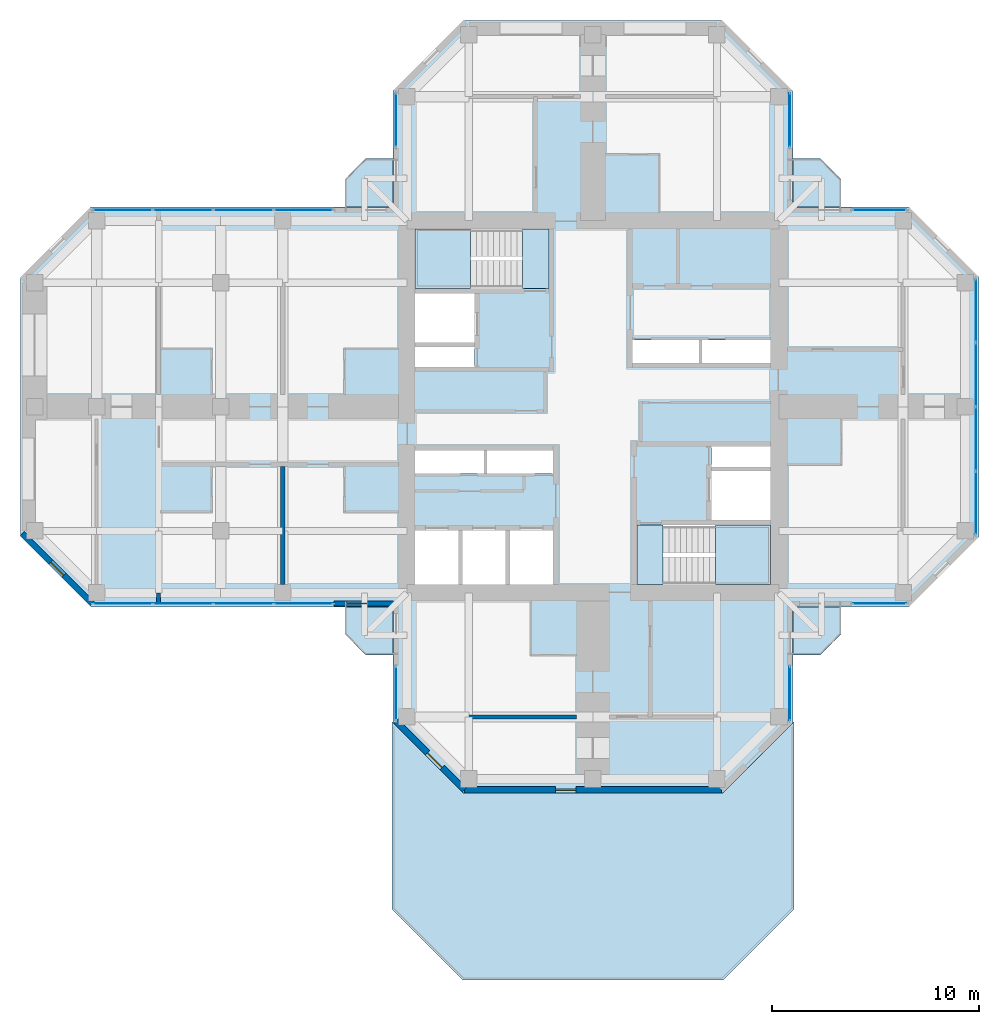
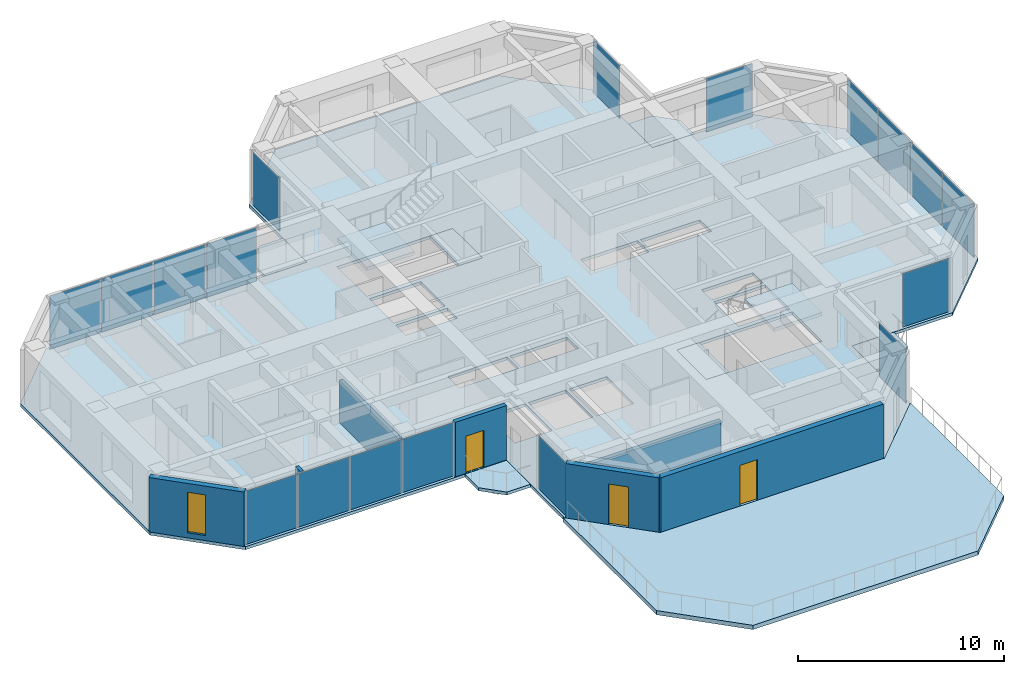
# One storey, part 7 of 14: 18 plates, 10 slabs, 7 walls, 3 doors, 1 window, 4 openings, 11 elements without a shape of their own.
"""IFC4 building model written with IfcOpenShell, lengths in metres."""

from ifc_helpers import new_model, si_unit, direction, frame, frame_2d, origin, origin_2d, place, context, subcontext, project, spatial, polyline, rectangle, hollow_rectangle, outline, extrude, material, layer, layer_set, constituent, constituent_set, type_object, element, fill, aggregate, save


model = new_model("IFC4")

# Units and contexts
model_context = context("Model", 3, precision=1e-05, world=origin(), true_north=direction((0.0, 1.0)))
body_context = subcontext(model_context, "Body", "Model", "MODEL_VIEW")
ifc_project = project(units=[si_unit("LENGTHUNIT", "METRE"), si_unit("AREAUNIT", "SQUARE_METRE"), si_unit("VOLUMEUNIT", "CUBIC_METRE"), si_unit("PLANEANGLEUNIT", "RADIAN"), si_unit("MASSUNIT", "GRAM", prefix="KILO")], contexts=[model_context])

# Site, building, storey
site_placement = place(None, origin())
site = spatial("IfcSite", under=ifc_project, at=site_placement, CompositionType="ELEMENT")
building_placement = place(site_placement, origin())
building = spatial("IfcBuilding", under=site, at=building_placement, Name="Torre Cruceta", CompositionType="ELEMENT")
storey_placement = place(building_placement, frame((0.0, 0.0, 222.10009765625)))
storey = spatial("IfcBuildingStorey", under=building, at=storey_placement, Name="L56", CompositionType="ELEMENT", Elevation=222.10009765625)

# Slabs
ifc_material_1 = material(Name="Concrete G35 (fck 35 MPa)", Category="concrete")
ifc_layer_1 = layer(ifc_material_1, 0.179931640625)
ifc_layer_set_1 = layer_set([ifc_layer_1], Name="Concrete G35 (fck 35 MPa)")
slab_type_1 = type_object("IfcSlabType", Name="BALCONY SLAB 180", PredefinedType="USERDEFINED", material=ifc_layer_set_1)
slab_1_placement = place(storey_placement, frame((0.0, 0.0, -0.18017578125)))
element("IfcSlab", 1, at=slab_1_placement, inside=storey, type_object=slab_type_1, Name="Balcony slab L56 N", ObjectType="BALCONY", PredefinedType="USERDEFINED", context=body_context, shape_type="SweptSolid", body=[
    extrude(outline(polyline([(-12.0, 11.0), (-11.0, 12.0), (-9.669921875, 12.0), (-9.669921875, 9.669921875), (-12.0, 9.669921875), (-12.0, 11.0)])), origin(), (0.0, 0.0, 1.0), 0.18017578125),
])
slab_2_placement = place(storey_placement, frame((0.0, 0.0, -0.18017578125)))
element("IfcSlab", 2, at=slab_2_placement, inside=storey, type_object=slab_type_1, Name="Balcony slab L56 E", ObjectType="BALCONY", PredefinedType="USERDEFINED", context=body_context, shape_type="SweptSolid", body=[
    extrude(outline(polyline([(11.0, 12.0), (12.0, 11.0), (12.0, 9.669921875), (9.669921875, 9.669921875), (9.669921875, 12.0), (11.0, 12.0)])), origin(), (0.0, 0.0, 1.0), 0.18017578125),
])
slab_3_placement = place(storey_placement, frame((0.0, 0.0, -0.18017578125)))
element("IfcSlab", 3, at=slab_3_placement, inside=storey, type_object=slab_type_1, Name="Balcony slab L56 S", ObjectType="BALCONY", PredefinedType="USERDEFINED", context=body_context, shape_type="SweptSolid", body=[
    extrude(outline(polyline([(12.0, -11.0), (11.0, -12.0), (9.669921875, -12.0), (9.669921875, -9.669921875), (12.0, -9.669921875), (12.0, -11.0)])), origin(), (0.0, 0.0, 1.0), 0.18017578125),
])
slab_4_placement = place(storey_placement, frame((0.0, 0.0, -0.18017578125)))
element("IfcSlab", 4, at=slab_4_placement, inside=storey, type_object=slab_type_1, Name="Balcony slab L56 W", ObjectType="BALCONY", PredefinedType="USERDEFINED", context=body_context, shape_type="SweptSolid", body=[
    extrude(outline(polyline([(-11.0, -12.0), (-12.0, -11.0), (-12.0, -9.669921875), (-9.669921875, -9.669921875), (-9.669921875, -12.0), (-11.0, -12.0)])), origin(), (0.0, 0.0, 1.0), 0.18017578125),
])

# Curtain wall, plate
ifc_material_2 = material(Name="Aluminium unitised curtain wall", Category="aluminium")
curtain_wall_type = type_object("IfcCurtainWallType", Name="CURTAIN WALL CW-D CO-LIVING UPPER", PredefinedType="USERDEFINED", material=ifc_material_2)
curtain_wall_1_placement = place(storey_placement, origin())
curtain_wall_1 = element("IfcCurtainWall", 5, at=curtain_wall_1_placement, inside=storey, type_object=curtain_wall_type, Name="CW-D L56 E tip 02", ObjectType="UNITISED", PredefinedType="USERDEFINED")
ifc_material_3 = material(Name="Laminated insulating glass unit, diagonal frit 50 %", Category="glass")
ifc_material_4 = material(Name="Laminated insulating glass unit, diagonal frit 50 %", Category="glass")
ifc_layer_2 = layer(ifc_material_4, 0.028076171875)
ifc_layer_set_2 = layer_set([ifc_layer_2], Name="Laminated insulating glass unit, diagonal frit 50 %")
plate_type_1 = type_object("IfcPlateType", Name="CW-D OPERABLE VENT PANEL 28", PredefinedType="CURTAIN_PANEL", material=ifc_layer_set_2)
plate_1_placement = place(storey_placement, frame((18.52001953125, -1.553955078125, 0.010009765625), z_axis=(0.0, 0.0, 1.0), x_axis=(0.0, 1.0, 0.0)))
plate_1 = element("IfcPlate", 6, at=plate_1_placement, type_object=plate_type_1, material=ifc_material_3, Name="CW-D vent 2", PredefinedType="CURTAIN_PANEL", context=body_context, shape_type="SweptSolid", body=[
    extrude(rectangle(XDim=3.047607421875, YDim=0.028076171875, at=origin_2d()), origin(), (0.0, 0.0, 1.0), 3.14990234375),
])

curtain_wall_2_placement = place(storey_placement, origin())
curtain_wall_2 = element("IfcCurtainWall", 7, at=curtain_wall_2_placement, inside=storey, type_object=curtain_wall_type, Name="CW-D L56 W side 10", ObjectType="UNITISED", PredefinedType="USERDEFINED")
plate_2_placement = place(storey_placement, frame((-16.90576171875, 9.52001953125, 0.010009765625), z_axis=(0.0, 0.0, 1.0), x_axis=(-1.0, 0.0, 0.0)))
plate_2 = element("IfcPlate", 8, at=plate_2_placement, type_object=plate_type_1, material=ifc_material_3, Name="CW-D vent 2", PredefinedType="CURTAIN_PANEL", context=body_context, shape_type="SweptSolid", body=[
    extrude(rectangle(XDim=2.86376953125, YDim=0.028076171875, at=origin_2d()), origin(), (0.0, 0.0, 1.0), 3.14990234375),
])

curtain_wall_3_placement = place(storey_placement, origin())
curtain_wall_3 = element("IfcCurtainWall", 9, at=curtain_wall_3_placement, inside=storey, type_object=curtain_wall_type, Name="CW-D L56 W side 14", ObjectType="UNITISED", PredefinedType="USERDEFINED")
plate_3_placement = place(storey_placement, frame((-19.82958984375, -9.52001953125, 0.010009765625), z_axis=(0.0, 0.0, 1.0), x_axis=(1.0, 0.0, 0.0)))
plate_3 = element("IfcPlate", 10, at=plate_3_placement, type_object=plate_type_1, material=ifc_material_3, Name="CW-D vent 2", PredefinedType="CURTAIN_PANEL", context=body_context, shape_type="SweptSolid", body=[
    extrude(rectangle(XDim=2.86376953125, YDim=0.028076171875, at=origin_2d()), origin(), (0.0, 0.0, 1.0), 3.14990234375),
])

curtain_wall_4_placement = place(storey_placement, origin())
curtain_wall_4 = element("IfcCurtainWall", 11, at=curtain_wall_4_placement, inside=storey, type_object=curtain_wall_type, Name="CW-D L56 E side 00", ObjectType="UNITISED", PredefinedType="USERDEFINED")
ifc_material_5 = material(Name="Laminated insulating glass unit, diagonal frit 50 %", Category="glass")
ifc_layer_3 = layer(ifc_material_5, 0.028076171875)
ifc_layer_set_3 = layer_set([ifc_layer_3], Name="Laminated insulating glass unit, diagonal frit 50 %")
plate_type_2 = type_object("IfcPlateType", Name="CW-D PANEL 28", PredefinedType="CURTAIN_PANEL", material=ifc_layer_set_3)
plate_4_placement = place(storey_placement, frame((13.86767578125, -9.52001953125, 0.010009765625), z_axis=(0.0, 0.0, 1.0), x_axis=(1.0, 0.0, 0.0)))
plate_4 = element("IfcPlate", 12, at=plate_4_placement, type_object=plate_type_2, material=ifc_material_3, Name="CW-D panel 1", PredefinedType="CURTAIN_PANEL", context=body_context, shape_type="SweptSolid", body=[
    extrude(rectangle(XDim=2.575439453125, YDim=0.028076171875, at=origin_2d()), origin(), (0.0, 0.0, 1.0), 3.14990234375),
])
aggregate(curtain_wall_4, [plate_4])

# Plate
plate_5_placement = place(storey_placement, frame((18.52001953125, -4.646484375, 0.010009765625), z_axis=(0.0, 0.0, 1.0), x_axis=(0.0, 1.0, 0.0)))
plate_5 = element("IfcPlate", 13, at=plate_5_placement, type_object=plate_type_2, material=ifc_material_3, Name="CW-D panel 1", PredefinedType="CURTAIN_PANEL", context=body_context, shape_type="SweptSolid", body=[
    extrude(rectangle(XDim=3.017578125, YDim=0.028076171875, at=origin_2d()), origin(), (0.0, 0.0, 1.0), 3.14990234375),
])

plate_6_placement = place(storey_placement, frame((18.52001953125, 1.553955078125, 0.010009765625), z_axis=(0.0, 0.0, 1.0), x_axis=(0.0, 1.0, 0.0)))
plate_6 = element("IfcPlate", 14, at=plate_6_placement, type_object=plate_type_2, material=ifc_material_3, Name="CW-D panel 3", PredefinedType="CURTAIN_PANEL", context=body_context, shape_type="SweptSolid", body=[
    extrude(rectangle(XDim=3.047607421875, YDim=0.028076171875, at=origin_2d()), origin(), (0.0, 0.0, 1.0), 3.14990234375),
])

plate_7_placement = place(storey_placement, frame((18.52001953125, 4.646484375, 0.010009765625), z_axis=(0.0, 0.0, 1.0), x_axis=(0.0, 1.0, 0.0)))
plate_7 = element("IfcPlate", 15, at=plate_7_placement, type_object=plate_type_2, material=ifc_material_3, Name="CW-D panel 4", PredefinedType="CURTAIN_PANEL", context=body_context, shape_type="SweptSolid", body=[
    extrude(rectangle(XDim=3.017578125, YDim=0.028076171875, at=origin_2d()), origin(), (0.0, 0.0, 1.0), 3.14990234375),
])

aggregate(curtain_wall_1, [plate_5, plate_1, plate_6, plate_7])

# Curtain wall, plate
curtain_wall_5_placement = place(storey_placement, origin())
curtain_wall_5 = element("IfcCurtainWall", 16, at=curtain_wall_5_placement, inside=storey, type_object=curtain_wall_type, Name="CW-D L56 E side 04", ObjectType="UNITISED", PredefinedType="USERDEFINED")
plate_8_placement = place(storey_placement, frame((13.86767578125, 9.52001953125, 0.010009765625), z_axis=(0.0, 0.0, 1.0), x_axis=(-1.0, 0.0, 0.0)))
plate_8 = element("IfcPlate", 17, at=plate_8_placement, type_object=plate_type_2, material=ifc_material_3, Name="CW-D panel 1", PredefinedType="CURTAIN_PANEL", context=body_context, shape_type="SweptSolid", body=[
    extrude(rectangle(XDim=2.575439453125, YDim=0.028076171875, at=origin_2d()), origin(), (0.0, 0.0, 1.0), 3.14990234375),
])
aggregate(curtain_wall_5, [plate_8])

curtain_wall_6_placement = place(storey_placement, origin())
curtain_wall_6 = element("IfcCurtainWall", 18, at=curtain_wall_6_placement, inside=storey, type_object=curtain_wall_type, Name="CW-D L56 N side 05", ObjectType="UNITISED", PredefinedType="USERDEFINED")
plate_9_placement = place(storey_placement, frame((9.52001953125, 13.86767578125, 0.010009765625), z_axis=(0.0, 0.0, 1.0), x_axis=(0.0, 1.0, 0.0)))
plate_9 = element("IfcPlate", 19, at=plate_9_placement, type_object=plate_type_2, material=ifc_material_3, Name="CW-D panel 1", PredefinedType="CURTAIN_PANEL", context=body_context, shape_type="SweptSolid", body=[
    extrude(rectangle(XDim=2.575439453125, YDim=0.028076171875, at=origin_2d()), origin(), (0.0, 0.0, 1.0), 3.14990234375),
])
aggregate(curtain_wall_6, [plate_9])

curtain_wall_7_placement = place(storey_placement, origin())
curtain_wall_7 = element("IfcCurtainWall", 20, at=curtain_wall_7_placement, inside=storey, type_object=curtain_wall_type, Name="CW-D L56 N side 09", ObjectType="UNITISED", PredefinedType="USERDEFINED")
plate_10_placement = place(storey_placement, frame((-9.52001953125, 13.86767578125, 0.010009765625), z_axis=(0.0, 0.0, 1.0), x_axis=(0.0, -1.0, 0.0)))
plate_10 = element("IfcPlate", 21, at=plate_10_placement, type_object=plate_type_2, material=ifc_material_3, Name="CW-D panel 1", PredefinedType="CURTAIN_PANEL", context=body_context, shape_type="SweptSolid", body=[
    extrude(rectangle(XDim=2.575439453125, YDim=0.028076171875, at=origin_2d()), origin(), (0.0, 0.0, 1.0), 3.14990234375),
])
aggregate(curtain_wall_7, [plate_10])

# Plate
plate_11_placement = place(storey_placement, frame((-13.996826171875, 9.52001953125, 0.010009765625), z_axis=(0.0, 0.0, 1.0), x_axis=(-1.0, 0.0, 0.0)))
plate_11 = element("IfcPlate", 22, at=plate_11_placement, type_object=plate_type_2, material=ifc_material_3, Name="CW-D panel 1", PredefinedType="CURTAIN_PANEL", context=body_context, shape_type="SweptSolid", body=[
    extrude(rectangle(XDim=2.833740234375, YDim=0.028076171875, at=origin_2d()), origin(), (0.0, 0.0, 1.0), 3.14990234375),
])

plate_12_placement = place(storey_placement, frame((-19.82958984375, 9.52001953125, 0.010009765625), z_axis=(0.0, 0.0, 1.0), x_axis=(-1.0, 0.0, 0.0)))
plate_12 = element("IfcPlate", 23, at=plate_12_placement, type_object=plate_type_2, material=ifc_material_3, Name="CW-D panel 3", PredefinedType="CURTAIN_PANEL", context=body_context, shape_type="SweptSolid", body=[
    extrude(rectangle(XDim=2.86376953125, YDim=0.028076171875, at=origin_2d()), origin(), (0.0, 0.0, 1.0), 3.14990234375),
])

plate_13_placement = place(storey_placement, frame((-22.738525390625, 9.52001953125, 0.010009765625), z_axis=(0.0, 0.0, 1.0), x_axis=(-1.0, 0.0, 0.0)))
plate_13 = element("IfcPlate", 24, at=plate_13_placement, type_object=plate_type_2, material=ifc_material_3, Name="CW-D panel 4", PredefinedType="CURTAIN_PANEL", context=body_context, shape_type="SweptSolid", body=[
    extrude(rectangle(XDim=2.833740234375, YDim=0.028076171875, at=origin_2d()), origin(), (0.0, 0.0, 1.0), 3.14990234375),
])

aggregate(curtain_wall_2, [plate_11, plate_2, plate_12, plate_13])

plate_14_placement = place(storey_placement, frame((-22.738525390625, -9.52001953125, 0.010009765625), z_axis=(0.0, 0.0, 1.0), x_axis=(1.0, 0.0, 0.0)))
plate_14 = element("IfcPlate", 25, at=plate_14_placement, type_object=plate_type_2, material=ifc_material_3, Name="CW-D panel 1", PredefinedType="CURTAIN_PANEL", context=body_context, shape_type="SweptSolid", body=[
    extrude(rectangle(XDim=2.833740234375, YDim=0.028076171875, at=origin_2d()), origin(), (0.0, 0.0, 1.0), 3.14990234375),
])

plate_15_placement = place(storey_placement, frame((-16.90576171875, -9.52001953125, 0.010009765625), z_axis=(0.0, 0.0, 1.0), x_axis=(1.0, 0.0, 0.0)))
plate_15 = element("IfcPlate", 26, at=plate_15_placement, type_object=plate_type_2, material=ifc_material_3, Name="CW-D panel 3", PredefinedType="CURTAIN_PANEL", context=body_context, shape_type="SweptSolid", body=[
    extrude(rectangle(XDim=2.86376953125, YDim=0.028076171875, at=origin_2d()), origin(), (0.0, 0.0, 1.0), 3.14990234375),
])

plate_16_placement = place(storey_placement, frame((-13.996826171875, -9.52001953125, 0.010009765625), z_axis=(0.0, 0.0, 1.0), x_axis=(1.0, 0.0, 0.0)))
plate_16 = element("IfcPlate", 27, at=plate_16_placement, type_object=plate_type_2, material=ifc_material_3, Name="CW-D panel 4", PredefinedType="CURTAIN_PANEL", context=body_context, shape_type="SweptSolid", body=[
    extrude(rectangle(XDim=2.833740234375, YDim=0.028076171875, at=origin_2d()), origin(), (0.0, 0.0, 1.0), 3.14990234375),
])

aggregate(curtain_wall_3, [plate_14, plate_3, plate_15, plate_16])

# Curtain wall, plate
curtain_wall_8_placement = place(storey_placement, origin())
curtain_wall_8 = element("IfcCurtainWall", 28, at=curtain_wall_8_placement, inside=storey, type_object=curtain_wall_type, Name="CW-D L56 S side 15", ObjectType="UNITISED", PredefinedType="USERDEFINED")
plate_17_placement = place(storey_placement, frame((-9.52001953125, -13.86767578125, 0.010009765625), z_axis=(0.0, 0.0, 1.0), x_axis=(0.0, -1.0, 0.0)))
plate_17 = element("IfcPlate", 29, at=plate_17_placement, type_object=plate_type_2, material=ifc_material_3, Name="CW-D panel 1", PredefinedType="CURTAIN_PANEL", context=body_context, shape_type="SweptSolid", body=[
    extrude(rectangle(XDim=2.575439453125, YDim=0.028076171875, at=origin_2d()), origin(), (0.0, 0.0, 1.0), 3.14990234375),
])
aggregate(curtain_wall_8, [plate_17])

curtain_wall_9_placement = place(storey_placement, origin())
curtain_wall_9 = element("IfcCurtainWall", 30, at=curtain_wall_9_placement, inside=storey, type_object=curtain_wall_type, Name="CW-D L56 S side 19", ObjectType="UNITISED", PredefinedType="USERDEFINED")
plate_18_placement = place(storey_placement, frame((9.52001953125, -13.86767578125, 0.010009765625), z_axis=(0.0, 0.0, 1.0), x_axis=(0.0, 1.0, 0.0)))
plate_18 = element("IfcPlate", 31, at=plate_18_placement, type_object=plate_type_2, material=ifc_material_3, Name="CW-D panel 1", PredefinedType="CURTAIN_PANEL", context=body_context, shape_type="SweptSolid", body=[
    extrude(rectangle(XDim=2.575439453125, YDim=0.028076171875, at=origin_2d()), origin(), (0.0, 0.0, 1.0), 3.14990234375),
])
aggregate(curtain_wall_9, [plate_18])

# Slab
ifc_material_6 = material(Name="Concrete G35 (fck 35 MPa)", Category="concrete")
ifc_layer_4 = layer(ifc_material_6, 0.179931640625)
ifc_layer_set_4 = layer_set([ifc_layer_4], Name="Concrete G35 (fck 35 MPa)")
slab_type_2 = type_object("IfcSlabType", Name="FLOOR SLAB 180", PredefinedType="FLOOR", material=ifc_layer_set_4)
slab_5_placement = place(storey_placement, frame((0.0, 0.0, -0.18017578125)))
element("IfcSlab", 32, at=slab_5_placement, inside=storey, type_object=slab_type_2, Name="Floor Slab L56", PredefinedType="FLOOR", context=body_context, shape_type="SweptSolid", body=[
    extrude(outline(polyline([(9.669921875, -9.669921875), (9.669921875, -15.277587890625), (6.277587890625, -18.669921875), (-6.277587890625, -18.669921875), (-9.669921875, -15.277587890625), (-9.669921875, -9.669921875), (-24.277587890625, -9.669921875), (-27.669921875, -6.277587890625), (-27.669921875, 6.277587890625), (-24.277587890625, 9.669921875), (-9.669921875, 9.669921875), (-9.669921875, 15.277587890625), (-6.277587890625, 18.669921875), (6.277587890625, 18.669921875), (9.669921875, 15.277587890625), (9.669921875, 9.669921875), (15.277587890625, 9.669921875), (18.669921875, 6.277587890625), (18.669921875, -6.277587890625), (15.277587890625, -9.669921875), (9.669921875, -9.669921875)]), holes=[polyline([(1.925048828125, 2.125), (5.125, 2.125), (5.125, 3.22509765625), (1.925048828125, 3.22509765625), (1.925048828125, 2.125)]), polyline([(5.27490234375, 2.125), (8.60009765625, 2.125), (8.60009765625, 3.22509765625), (5.27490234375, 3.22509765625), (5.27490234375, 2.125)]), polyline([(-8.60009765625, 3.10009765625), (-5.72509765625, 3.10009765625), (-5.72509765625, 5.47509765625), (-8.60009765625, 5.47509765625), (-8.60009765625, 3.10009765625)]), polyline([(-8.60009765625, 1.925048828125), (-5.72509765625, 1.925048828125), (-5.72509765625, 2.89990234375), (-8.60009765625, 2.89990234375), (-8.60009765625, 1.925048828125)]), polyline([(-4.0166015625, -8.60009765625), (-1.925048828125, -8.60009765625), (-1.925048828125, -5.97509765625), (-4.0166015625, -5.97509765625), (-4.0166015625, -8.60009765625)]), polyline([(-6.308349609375, -8.60009765625), (-4.216552734375, -8.60009765625), (-4.216552734375, -5.97509765625), (-6.308349609375, -5.97509765625), (-6.308349609375, -8.60009765625)]), polyline([(-8.60009765625, -8.60009765625), (-6.50830078125, -8.60009765625), (-6.50830078125, -5.97509765625), (-8.60009765625, -5.97509765625), (-8.60009765625, -8.60009765625)]), polyline([(-5.125, -3.22509765625), (-1.925048828125, -3.22509765625), (-1.925048828125, -2.125), (-5.125, -2.125), (-5.125, -3.22509765625)]), polyline([(-8.60009765625, -3.22509765625), (-5.27490234375, -3.22509765625), (-5.27490234375, -2.125), (-8.60009765625, -2.125), (-8.60009765625, -3.22509765625)]), polyline([(5.72509765625, -5.47509765625), (8.60009765625, -5.47509765625), (8.60009765625, -3.10009765625), (5.72509765625, -3.10009765625), (5.72509765625, -5.47509765625)]), polyline([(5.72509765625, -2.89990234375), (8.60009765625, -2.89990234375), (8.60009765625, -1.925048828125), (5.72509765625, -1.925048828125), (5.72509765625, -2.89990234375)]), polyline([(-8.60009765625, 5.72509765625), (-8.60009765625, 8.60009765625), (-3.39990234375, 8.60009765625), (-2.125, 8.60009765625), (-2.125, 5.72509765625), (-3.39990234375, 5.72509765625), (-8.60009765625, 5.72509765625)]), polyline([(2.125, -5.72509765625), (3.39990234375, -5.72509765625), (8.60009765625, -5.72509765625), (8.60009765625, -8.60009765625), (3.39990234375, -8.60009765625), (2.125, -8.60009765625), (2.125, -5.72509765625)])]), origin(), (0.0, 0.0, 1.0), 0.18017578125),
])

# Stair, slab
ifc_material_7 = material(Name="Concrete G30 (fck 30 MPa)", Category="concrete")
stair_type = type_object("IfcStairType", Name="STAIR HALF-TURN 1300", PredefinedType="HALF_TURN_STAIR", material=ifc_material_7)
stair_1_placement = place(storey_placement, origin())
stair_1 = element("IfcStair", 33, at=stair_1_placement, inside=storey, type_object=stair_type, Name="Stair ST1 L56", PredefinedType="HALF_TURN_STAIR")
ifc_material_8 = material(Name="Concrete G30 (fck 30 MPa)", Category="concrete")
ifc_layer_5 = layer(ifc_material_8, 0.199951171875)
ifc_layer_set_5 = layer_set([ifc_layer_5], Name="Concrete G30 (fck 30 MPa)")
slab_type_3 = type_object("IfcSlabType", Name="STAIR LANDING 200", PredefinedType="LANDING", material=ifc_layer_set_5)
slab_6_placement = place(storey_placement, frame((0.0, 0.0, 1.5)))
slab_6 = element("IfcSlab", 34, at=slab_6_placement, type_object=slab_type_3, Name="ST1 landing 1", PredefinedType="LANDING", context=body_context, shape_type="SweptSolid", body=[
    extrude(outline(polyline([(-8.60009765625, 5.72509765625), (-5.919921875, 5.72509765625), (-5.919921875, 8.60009765625), (-8.60009765625, 8.60009765625), (-8.60009765625, 5.72509765625)])), origin(), (0.0, 0.0, 1.0), 0.199951171875),
])
aggregate(stair_1, [slab_6])

stair_2_placement = place(storey_placement, origin())
stair_2 = element("IfcStair", 35, at=stair_2_placement, inside=storey, type_object=stair_type, Name="Stair ST2 L56", PredefinedType="HALF_TURN_STAIR")
slab_7_placement = place(storey_placement, frame((0.0, 0.0, 1.5)))
slab_7 = element("IfcSlab", 36, at=slab_7_placement, type_object=slab_type_3, Name="ST2 landing 1", PredefinedType="LANDING", context=body_context, shape_type="SweptSolid", body=[
    extrude(outline(polyline([(5.919921875, -8.60009765625), (8.60009765625, -8.60009765625), (8.60009765625, -5.72509765625), (5.919921875, -5.72509765625), (5.919921875, -8.60009765625)])), origin(), (0.0, 0.0, 1.0), 0.199951171875),
])
aggregate(stair_2, [slab_7])

# Slabs
slab_8_placement = place(storey_placement, frame((0.0, 0.0, -0.2001953125)))
element("IfcSlab", 37, at=slab_8_placement, inside=storey, type_object=slab_type_3, Name="Stair ST1 floor landing L56", PredefinedType="LANDING", context=body_context, shape_type="SweptSolid", body=[
    extrude(outline(polyline([(-2.125, 8.60009765625), (-2.125, 5.72509765625), (-3.39990234375, 5.72509765625), (-3.39990234375, 8.60009765625), (-2.125, 8.60009765625)])), origin(), (0.0, 0.0, 1.0), 0.2001953125),
])
slab_9_placement = place(storey_placement, frame((0.0, 0.0, -0.2001953125)))
element("IfcSlab", 38, at=slab_9_placement, inside=storey, type_object=slab_type_3, Name="Stair ST2 floor landing L56", PredefinedType="LANDING", context=body_context, shape_type="SweptSolid", body=[
    extrude(outline(polyline([(2.125, -8.60009765625), (2.125, -5.72509765625), (3.39990234375, -5.72509765625), (3.39990234375, -8.60009765625), (2.125, -8.60009765625)])), origin(), (0.0, 0.0, 1.0), 0.2001953125),
])
ifc_material_9 = material(Name="Concrete G35 (fck 35 MPa)", Category="concrete")
ifc_layer_6 = layer(ifc_material_9, 0.25)
ifc_layer_set_6 = layer_set([ifc_layer_6], Name="Concrete G35 (fck 35 MPa)")
slab_type_4 = type_object("IfcSlabType", Name="TERRACE SLAB 250", PredefinedType="ROOF", material=ifc_layer_set_6)
slab_10_placement = place(storey_placement, frame((0.0, 0.0, -0.25)))
element("IfcSlab", 39, at=slab_10_placement, inside=storey, type_object=slab_type_4, Name="Terrace slab L56-1", PredefinedType="ROOF", context=body_context, shape_type="SweptSolid", body=[
    extrude(outline(polyline([(-9.669921875, -15.277587890625), (-6.277587890625, -18.669921875), (6.277587890625, -18.669921875), (9.669921875, -15.277587890625), (9.719970703125, -15.2275390625), (9.719970703125, -24.29833984375), (6.29833984375, -27.719970703125), (-6.29833984375, -27.719970703125), (-9.719970703125, -24.29833984375), (-9.719970703125, -15.2275390625), (-9.669921875, -15.277587890625)])), origin(), (0.0, 0.0, 1.0), 0.25),
])

# Wall, opening, window
ifc_material_10 = material(Name="Concrete G30 (fck 30 MPa)", Category="concrete")
ifc_layer_7 = layer(ifc_material_10, 0.300048828125)
ifc_layer_set_7 = layer_set([ifc_layer_7], Name="Concrete G30 (fck 30 MPa)")
wall_type_1 = type_object("IfcWallType", Name="EXPOSED CONCRETE FACADE WALL 300", PredefinedType="SOLIDWALL", material=ifc_layer_set_7)
wall_1_placement = place(storey_placement, frame((-27.60009765625, -6.135498046875, 0.0), z_axis=(0.0, 0.0, 1.0), x_axis=(0.707132283189, -0.707081278264, 0.0)))
wall_1 = element("IfcWall", 40, at=wall_1_placement, inside=storey, type_object=wall_type_1, Name="EW1 facade wall L56 W chamfer 13", PredefinedType="SOLIDWALL", context=body_context, shape_type="SweptSolid", body=[
    extrude(rectangle(XDim=4.78662109375, YDim=0.300048828125, at=frame_2d((2.393310546875, 0.0))), origin(), (0.0, 0.0, 1.0), 3.219970703125),
])
opening_1_placement = place(wall_1_placement, frame((1.943359375, 0.0, 0.300048828125)))
opening_1 = element("IfcOpeningElement", 41, at=opening_1_placement, cuts=wall_1, Name="Opening WN5", PredefinedType="OPENING", context=body_context, shape_type="SweptSolid", body=[
    extrude(rectangle(XDim=0.89990234375, YDim=2.39990234375, at=frame_2d((0.449951171875, 1.199951171875))), frame((0.0, 0.159912109375, 0.0), z_axis=(0.0, -1.0, 0.0), x_axis=(1.0, 0.0, 0.0)), (0.0, 0.0, 1.0), 0.320068359375),
])
ifc_material_11 = material(Name="Aluminium window frame", Category="aluminium")
ifc_constituent_1 = constituent(ifc_material_11, Name="Frame")
ifc_material_12 = material(Name="Laminated insulating glass unit, low-iron clear", Category="glass")
ifc_constituent_2 = constituent(ifc_material_12, Name="Glazing")
ifc_constituent_set_1 = constituent_set(constituents=[ifc_constituent_1, ifc_constituent_2], Name="Aluminium window")
window_type = type_object("IfcWindowType", Name="CHAMFER SLOT WINDOW 900X2400", PartitioningType="SINGLE_PANEL", PredefinedType="WINDOW", material=ifc_constituent_set_1)
window_placement = place(opening_1_placement, origin())
window = element("IfcWindow", 42, at=window_placement, inside=storey, type_object=window_type, Name="WN5 L56 W 1", OverallHeight=2.39990234375, OverallWidth=0.89990234375, PartitioningType="SINGLE_PANEL", PredefinedType="WINDOW", context=body_context, shape_type="SweptSolid", body=[
    extrude(hollow_rectangle(XDim=0.89990234375, YDim=2.39990234375, WallThickness=0.06005859375, at=frame_2d((0.449951171875, 1.199951171875))), frame((0.0, 0.030029296875, 0.0), z_axis=(0.0, -1.0, 0.0), x_axis=(1.0, 0.0, 0.0)), (0.0, 0.0, 1.0), 0.06005859375),
    extrude(rectangle(XDim=0.77880859375, YDim=2.27880859375, at=frame_2d((0.449951171875, 1.199951171875))), frame((0.0, 0.030029296875, 0.0), z_axis=(0.0, -1.0, 0.0), x_axis=(1.0, 0.0, 0.0)), (0.0, 0.0, 1.0), 0.06005859375),
])
fill(opening_1, window)

# Wall, opening, door
wall_2_placement = place(storey_placement, frame((-9.52001953125, -15.21533203125, 0.0), z_axis=(0.0, 0.0, 1.0), x_axis=(0.707106781187, -0.707106781187, 0.0)))
wall_2 = element("IfcWall", 43, at=wall_2_placement, inside=storey, type_object=wall_type_1, Name="EW1 facade wall L56 S chamfer 16", PredefinedType="SOLIDWALL", context=body_context, shape_type="SweptSolid", body=[
    extrude(rectangle(XDim=4.673583984375, YDim=0.300048828125, at=frame_2d((2.3369140625, 0.0))), origin(), (0.0, 0.0, 1.0), 3.219970703125),
])
opening_2_placement = place(wall_2_placement, frame((2.14990234375, 0.0, 0.0)))
opening_2 = element("IfcOpeningElement", 44, at=opening_2_placement, cuts=wall_2, Name="Opening D11", PredefinedType="OPENING", context=body_context, shape_type="SweptSolid", body=[
    extrude(rectangle(XDim=1.0, YDim=2.39990234375, at=frame_2d((0.5, 1.199951171875))), frame((0.0, 0.159912109375, 0.0), z_axis=(0.0, -1.0, 0.0), x_axis=(1.0, 0.0, 0.0)), (0.0, 0.0, 1.0), 0.320068359375),
])
ifc_material_13 = material(Name="Aluminium door frame", Category="aluminium")
ifc_constituent_3 = constituent(ifc_material_13, Name="Frame")
ifc_material_14 = material(Name="Laminated safety glass", Category="glass")
ifc_constituent_4 = constituent(ifc_material_14, Name="Glazing")
ifc_constituent_set_2 = constituent_set(constituents=[ifc_constituent_3, ifc_constituent_4], Name="Aluminium glazed door")
door_type_1 = type_object("IfcDoorType", Name="TERRACE DOOR 1000X2400", OperationType="SINGLE_SWING_LEFT", PredefinedType="DOOR", material=ifc_constituent_set_2)
door_1_placement = place(opening_2_placement, origin())
door_1 = element("IfcDoor", 45, at=door_1_placement, inside=storey, type_object=door_type_1, Name="D11 terrace door L56 S", OperationType="SINGLE_SWING_RIGHT", OverallHeight=2.39990234375, OverallWidth=1.0, PredefinedType="DOOR", context=body_context, shape_type="SweptSolid", body=[
    extrude(hollow_rectangle(XDim=1.0, YDim=2.39990234375, WallThickness=0.06005859375, at=frame_2d((0.5, 1.199951171875))), frame((0.0, 0.02490234375, 0.0), z_axis=(0.0, -1.0, 0.0), x_axis=(1.0, 0.0, 0.0)), (0.0, 0.0, 1.0), 0.050048828125),
    extrude(rectangle(XDim=0.87890625, YDim=2.27880859375, at=frame_2d((0.5, 1.199951171875))), frame((0.0, 0.02490234375, 0.0), z_axis=(0.0, -1.0, 0.0), x_axis=(1.0, 0.0, 0.0)), (0.0, 0.0, 1.0), 0.050048828125),
])
fill(opening_2, door_1)

wall_3_placement = place(storey_placement, frame((-6.21533203125, -18.52001953125, 0.0), z_axis=(0.0, 0.0, 1.0), x_axis=(1.0, 0.0, 0.0)))
wall_3 = element("IfcWall", 46, at=wall_3_placement, inside=storey, type_object=wall_type_1, Name="EW1 facade wall L56 S tip 17", PredefinedType="SOLIDWALL", context=body_context, shape_type="SweptSolid", body=[
    extrude(rectangle(XDim=12.4306640625, YDim=0.300048828125, at=frame_2d((6.21533203125, 0.0))), origin(), (0.0, 0.0, 1.0), 3.219970703125),
])
opening_3_placement = place(wall_3_placement, frame((4.39990234375, 0.0, 0.0)))
opening_3 = element("IfcOpeningElement", 47, at=opening_3_placement, cuts=wall_3, Name="Opening D11", PredefinedType="OPENING", context=body_context, shape_type="SweptSolid", body=[
    extrude(rectangle(XDim=1.0, YDim=2.39990234375, at=frame_2d((0.5, 1.199951171875))), frame((0.0, 0.159912109375, 0.0), z_axis=(0.0, -1.0, 0.0), x_axis=(1.0, 0.0, 0.0)), (0.0, 0.0, 1.0), 0.320068359375),
])
door_2_placement = place(opening_3_placement, origin())
door_2 = element("IfcDoor", 48, at=door_2_placement, inside=storey, type_object=door_type_1, Name="D11 terrace door L56 S", OperationType="SINGLE_SWING_LEFT", OverallHeight=2.39990234375, OverallWidth=1.0, PredefinedType="DOOR", context=body_context, shape_type="SweptSolid", body=[
    extrude(hollow_rectangle(XDim=1.0, YDim=2.39990234375, WallThickness=0.06005859375, at=frame_2d((0.5, 1.199951171875))), frame((0.0, 0.02490234375, 0.0), z_axis=(0.0, -1.0, 0.0), x_axis=(1.0, 0.0, 0.0)), (0.0, 0.0, 1.0), 0.050048828125),
    extrude(rectangle(XDim=0.87890625, YDim=2.27880859375, at=frame_2d((0.5, 1.199951171875))), frame((0.0, 0.02490234375, 0.0), z_axis=(0.0, -1.0, 0.0), x_axis=(1.0, 0.0, 0.0)), (0.0, 0.0, 1.0), 0.050048828125),
])
fill(opening_3, door_2)

# Walls
ifc_material_15 = material(Name="Concrete G25 (fck 25 MPa)", Category="concrete")
ifc_layer_8 = layer(ifc_material_15, 0.199951171875)
ifc_layer_set_8 = layer_set([ifc_layer_8], Name="Concrete G25 (fck 25 MPa)")
wall_type_2 = type_object("IfcWallType", Name="UNIT SEPARATING WALL 200", PredefinedType="SOLIDWALL", material=ifc_layer_set_8)
wall_4_placement = place(storey_placement, frame((-8.60009765625, -15.0, 0.0), z_axis=(0.0, 0.0, 1.0), x_axis=(1.0, 0.0, 0.0)))
element("IfcWall", 49, at=wall_4_placement, inside=storey, type_object=wall_type_2, Name="PT2 L56-S-ENDa", PredefinedType="SOLIDWALL", context=body_context, shape_type="SweptSolid", body=[
    extrude(rectangle(XDim=7.800048828125, YDim=0.199951171875, at=frame_2d((3.89990234375, 0.0))), origin(), (0.0, 0.0, 1.0), 2.52001953125),
])
wall_5_placement = place(storey_placement, frame((-15.0, -2.875, 0.0), z_axis=(0.0, 0.0, 1.0), x_axis=(0.0, -1.0, 0.0)))
element("IfcWall", 50, at=wall_5_placement, inside=storey, type_object=wall_type_2, Name="PT2 L56-W-P1L", PredefinedType="SOLIDWALL", context=body_context, shape_type="SweptSolid", body=[
    extrude(rectangle(XDim=5.72509765625, YDim=0.199951171875, at=frame_2d((2.862548828125, 0.0))), origin(), (0.0, 0.0, 1.0), 2.52001953125),
])
wall_6_placement = place(storey_placement, frame((-21.0, -9.0, 0.0), z_axis=(0.0, 0.0, 1.0), x_axis=(0.0, -1.0, 0.0)))
element("IfcWall", 51, at=wall_6_placement, inside=storey, type_object=wall_type_2, Name="PT2 L56-W-ENDb 2", PredefinedType="SOLIDWALL", context=body_context, shape_type="SweptSolid", body=[
    extrude(rectangle(XDim=0.47998046875, YDim=0.199951171875, at=frame_2d((0.239990234375, 0.0))), origin(), (0.0, 0.0, 1.0), 3.219970703125),
])

# Wall, opening, door
ifc_material_16 = material(Name="Concrete G30 (fck 30 MPa)", Category="concrete")
ifc_layer_9 = layer(ifc_material_16, 0.25)
ifc_layer_set_9 = layer_set([ifc_layer_9], Name="Concrete G30 (fck 30 MPa)")
wall_type_3 = type_object("IfcWallType", Name="WINTER GARDEN WALL 250", PredefinedType="SOLIDWALL", material=ifc_layer_set_9)
wall_7_placement = place(storey_placement, frame((-12.52001953125, -9.52001953125, 0.0), z_axis=(0.0, 0.0, 1.0), x_axis=(1.0, 0.0, 0.0)))
wall_7 = element("IfcWall", 52, at=wall_7_placement, inside=storey, type_object=wall_type_3, Name="EW2 winter garden wall L56 14", PredefinedType="SOLIDWALL", context=body_context, shape_type="SweptSolid", body=[
    extrude(rectangle(XDim=2.875, YDim=0.25, at=frame_2d((1.4375, 0.0))), origin(), (0.0, 0.0, 1.0), 3.219970703125),
])
opening_4_placement = place(wall_7_placement, frame((0.60009765625, 0.0, 0.0)))
opening_4 = element("IfcOpeningElement", 53, at=opening_4_placement, cuts=wall_7, Name="Opening D10", PredefinedType="OPENING", context=body_context, shape_type="SweptSolid", body=[
    extrude(rectangle(XDim=1.0, YDim=2.199951171875, at=frame_2d((0.5, 1.10009765625))), frame((0.0, 0.135009765625, 0.0), z_axis=(0.0, -1.0, 0.0), x_axis=(1.0, 0.0, 0.0)), (0.0, 0.0, 1.0), 0.27001953125),
])
ifc_material_17 = material(Name="Aluminium door frame", Category="aluminium")
ifc_constituent_5 = constituent(ifc_material_17, Name="Frame")
ifc_material_18 = material(Name="Laminated safety glass", Category="glass")
ifc_constituent_6 = constituent(ifc_material_18, Name="Glazing")
ifc_constituent_set_3 = constituent_set(constituents=[ifc_constituent_5, ifc_constituent_6], Name="Aluminium glazed door")
door_type_2 = type_object("IfcDoorType", Name="BALCONY DOOR 1000X2200", OperationType="SINGLE_SWING_RIGHT", PredefinedType="DOOR", material=ifc_constituent_set_3)
door_3_placement = place(opening_4_placement, origin())
door_3 = element("IfcDoor", 54, at=door_3_placement, inside=storey, type_object=door_type_2, Name="D10 balcony door L56 14", OperationType="SINGLE_SWING_RIGHT", OverallHeight=2.199951171875, OverallWidth=1.0, PredefinedType="DOOR", context=body_context, shape_type="SweptSolid", body=[
    extrude(hollow_rectangle(XDim=1.0, YDim=2.199951171875, WallThickness=0.06005859375, at=frame_2d((0.5, 1.10009765625))), frame((0.0, 0.02490234375, 0.0), z_axis=(0.0, -1.0, 0.0), x_axis=(1.0, 0.0, 0.0)), (0.0, 0.0, 1.0), 0.050048828125),
    extrude(rectangle(XDim=0.87890625, YDim=2.078857421875, at=frame_2d((0.5, 1.10009765625))), frame((0.0, 0.02490234375, 0.0), z_axis=(0.0, -1.0, 0.0), x_axis=(1.0, 0.0, 0.0)), (0.0, 0.0, 1.0), 0.050048828125),
])
fill(opening_4, door_3)

save(model, "model.ifc")
